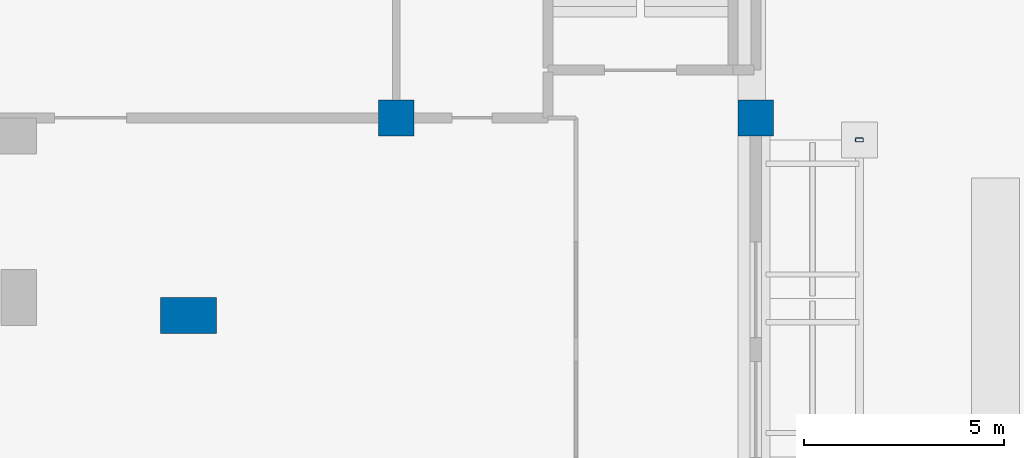
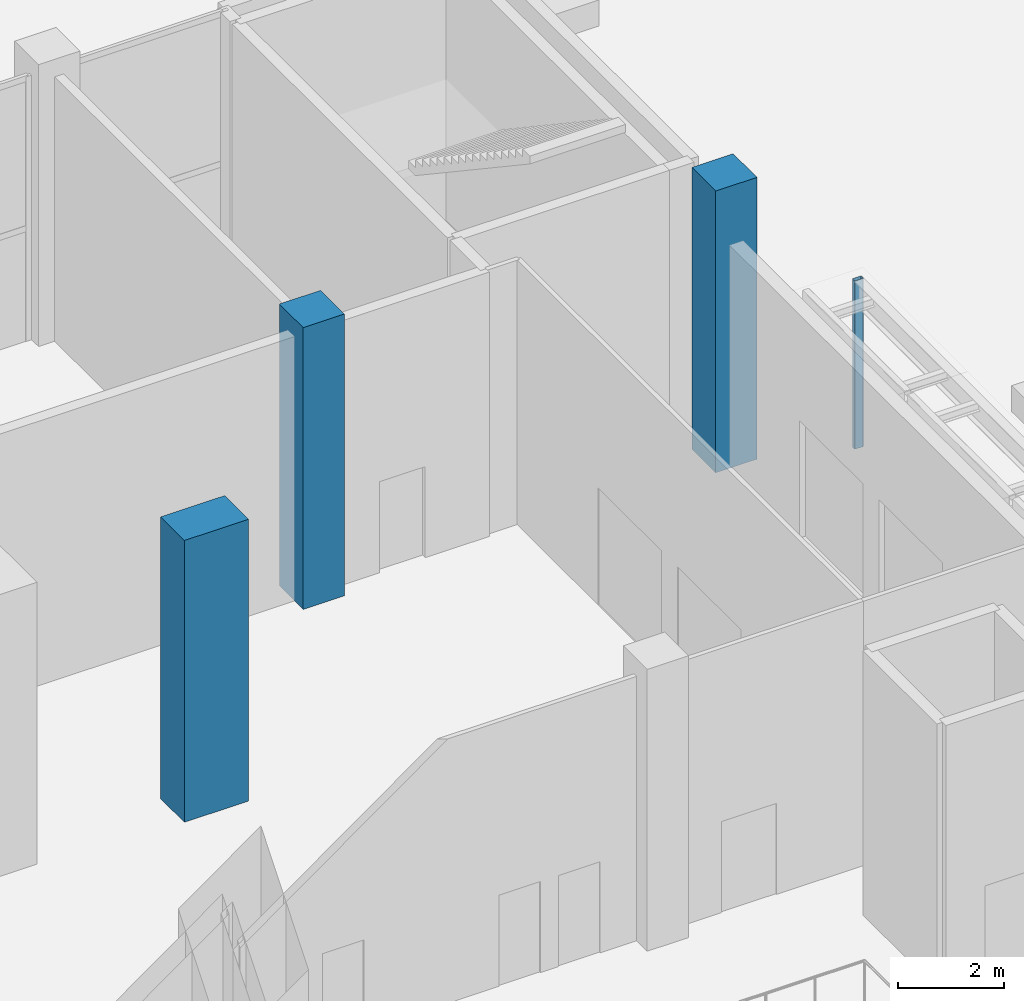
# One storey, part 15 of 39: 4 columns.
"""IFC4 building model written with IfcOpenShell, lengths in metres."""

import ifcopenshell
import ifcopenshell.guid

model = None  # the IFC model being written
_history = None  # IfcOwnerHistory: only IFC2X3 demands one
_inside = {}  # id of a spatial element -> (the spatial element, [elements in it])
_under = {}  # id of a project, library or spatial element -> (it, [spatial elements below it])
_declared = {}  # id of a project -> (the project, [libraries it declares])
_typed = {}  # id of a type object -> (the type object, [elements of that type])
_made_of = {}  # id of a material, layer set ... -> (it, [elements and type objects made of it])


def new_model(schema):
    """Start an empty IFC model of exactly this schema.

    Asked for "IFC4X3", IfcOpenShell would pick the latest addendum, in which some entities
    have other attributes; the version numbers below select the first issue.
    IFC2X3 requires an IfcOwnerHistory on every rooted entity: one is made here for all.
    """
    global model, _history
    if schema == "IFC4X3":
        model = ifcopenshell.file(schema_version=(4, 3, 0, 0))
    else:
        model = ifcopenshell.file(schema=schema)
    _inside.clear()
    _under.clear()
    _declared.clear()
    _typed.clear()
    _made_of.clear()
    _history = None
    if model.schema == "IFC2X3":
        org = make("IfcOrganization", Name="unknown")
        user = make(
            "IfcPersonAndOrganization",
            ThePerson=make("IfcPerson", FamilyName="unknown"),
            TheOrganization=org,
        )
        app = make(
            "IfcApplication",
            ApplicationDeveloper=org,
            Version="unknown",
            ApplicationFullName="unknown",
            ApplicationIdentifier="unknown",
        )
        _history = make(
            "IfcOwnerHistory",
            OwningUser=user,
            OwningApplication=app,
            ChangeAction="ADDED",
            CreationDate=0,
        )
    return model


def make(cls, **values):
    """One entity of the class cls with the attributes given. An attribute that is None is left unset."""
    return model.create_entity(
        cls, **{name: value for name, value in values.items() if value is not None}
    )


def rooted(cls, **values):
    """An entity with a GlobalId (a new one), such as an element, a storey or a relation."""
    return make(cls, GlobalId=ifcopenshell.guid.new(), OwnerHistory=_history, **values)


def si_unit(unit_type, name, prefix=None):
    """IfcSIUnit, for example si_unit("LENGTHUNIT", "METRE", prefix="MILLI")."""
    return make("IfcSIUnit", UnitType=unit_type, Prefix=prefix, Name=name)


def assignment(units):
    """IfcUnitAssignment: the units of a project."""
    return None if units is None else make("IfcUnitAssignment", Units=units)


def point(xyz):
    """IfcCartesianPoint."""
    return None if xyz is None else make("IfcCartesianPoint", Coordinates=xyz)


def direction(xyz):
    """IfcDirection."""
    return None if xyz is None else make("IfcDirection", DirectionRatios=xyz)


def frame(location, z_axis=None, x_axis=None):
    """IfcAxis2Placement3D, a coordinate frame: its origin and axes. An axis left out is left unset."""
    return make(
        "IfcAxis2Placement3D",
        Location=point(location),
        Axis=direction(z_axis),
        RefDirection=direction(x_axis),
    )


def frame_2d(location, x_axis=None):
    """IfcAxis2Placement2D, a coordinate frame in the plane: its origin and x axis."""
    return make(
        "IfcAxis2Placement2D", Location=point(location), RefDirection=direction(x_axis)
    )


def origin():
    """The frame at (0, 0, 0) with its axes left unset."""
    return frame((0.0, 0.0, 0.0))


def origin_2d():
    """The frame at (0, 0) in the plane with its x axis left unset."""
    return frame_2d((0.0, 0.0))


def place(relative_to, where):
    """IfcLocalPlacement: puts the frame where relative to a parent placement (None: the world)."""
    return make(
        "IfcLocalPlacement", PlacementRelTo=relative_to, RelativePlacement=where
    )


def context(
    kind, dimensions, precision=None, world=None, true_north=None, identifier=None
):
    """IfcGeometricRepresentationContext, for example the 3D "Model" context."""
    return make(
        "IfcGeometricRepresentationContext",
        ContextIdentifier=identifier,
        ContextType=kind,
        CoordinateSpaceDimension=dimensions,
        Precision=precision,
        WorldCoordinateSystem=world,
        TrueNorth=true_north,
    )


def subcontext(parent, identifier, kind, view, scale=None):
    """IfcGeometricRepresentationSubContext, for example "Body" below "Model"."""
    return make(
        "IfcGeometricRepresentationSubContext",
        ContextIdentifier=identifier,
        ContextType=kind,
        ParentContext=parent,
        TargetScale=scale,
        TargetView=view,
    )


def project(units=None, contexts=None):
    """IfcProject with its units and contexts."""
    return rooted(
        "IfcProject",
        Name="project",
        RepresentationContexts=contexts,
        UnitsInContext=assignment(units),
    )


def spatial(cls, under=None, at=None, **own):
    """A site, building, storey or space (cls), placed at a placement, below another one or the project."""
    s = rooted(cls, ObjectPlacement=at, **own)
    if under is not None:
        _under.setdefault(under.id(), (under, []))[1].append(s)
    return s


def profile(cls, at=None, kind="AREA", **sizes):
    """A parametric profile (cls). Its sizes go by their IFC names, for example OverallWidth=200.0."""
    return make(cls, ProfileType=kind, Position=at, **sizes)


def rectangle(**sizes):
    """IfcRectangleProfileDef."""
    return profile("IfcRectangleProfileDef", **sizes)


def hollow_rectangle(**sizes):
    """IfcRectangleHollowProfileDef."""
    return profile("IfcRectangleHollowProfileDef", **sizes)


def extrude(swept, where, along, depth):
    """IfcExtrudedAreaSolid: the profile swept, set in the frame where, extruded along a direction by depth."""
    return make(
        "IfcExtrudedAreaSolid",
        SweptArea=swept,
        Position=where,
        ExtrudedDirection=direction(along),
        Depth=depth,
    )


def shape(context_of_items, identifier, shape_type, items):
    """IfcShapeRepresentation: the items that make up one representation, for example the "Body"."""
    return make(
        "IfcShapeRepresentation",
        ContextOfItems=context_of_items,
        RepresentationIdentifier=identifier,
        RepresentationType=shape_type,
        Items=items,
    )


def material(Name=None, Category=None):
    """IfcMaterial."""
    return make("IfcMaterial", Name=Name, Category=Category)


def material_profile(
    of_material, cross_section, Name=None, Category=None, Priority=None
):
    """IfcMaterialProfile: a cross section and its material."""
    return make(
        "IfcMaterialProfile",
        Name=Name,
        Material=of_material,
        Profile=cross_section,
        Priority=Priority,
        Category=Category,
    )


def profile_set(profiles, Name=None, composite=None):
    """IfcMaterialProfileSet."""
    return make(
        "IfcMaterialProfileSet",
        Name=Name,
        MaterialProfiles=profiles,
        CompositeProfile=composite,
    )


def made_of(thing, what):
    """Note that an element or type object is made of a material, layer set ...; save() writes the relation."""
    if what is not None:
        _made_of.setdefault(what.id(), (what, []))[1].append(thing)
    return thing


def type_object(cls, material=None, **own):
    """A type object (cls), such as IfcWallType, which elements share."""
    return made_of(rooted(cls, **own), material)


def element(
    cls,
    number,
    at=None,
    inside=None,
    cuts=None,
    type_object=None,
    material=None,
    context=None,
    identifier="Body",
    shape_type=None,
    held_by="IfcProductDefinitionShape",
    body=None,
    shapes=None,
    **own,
):
    """One element of the class cls, such as IfcWall. Its Tag is "e" and its number.

    at: its placement. inside: the storey or other place that contains it. cuts: it is an
    opening in that element (IfcRelVoidsElement). A single representation is given by context,
    identifier, shape_type and body (its items); several are given by shapes. held_by: the class
    of the entity that holds the representations. save() writes the other relations.
    """
    e = rooted(cls, Tag="e%d" % number, ObjectPlacement=at, **own)
    if body is not None:
        shapes = [shape(context, identifier, shape_type, body)]
    if shapes is not None:
        e.Representation = make(held_by, Representations=shapes)
    if inside is not None:
        _inside.setdefault(inside.id(), (inside, []))[1].append(e)
    if cuts is not None:
        rooted(
            "IfcRelVoidsElement", RelatingBuildingElement=cuts, RelatedOpeningElement=e
        )
    if type_object is not None:
        _typed.setdefault(type_object.id(), (type_object, []))[1].append(e)
    return made_of(e, material)


def aggregate(whole, parts):
    """IfcRelAggregates: a whole, such as a stair, and the parts it consists of."""
    return rooted("IfcRelAggregates", RelatingObject=whole, RelatedObjects=parts)


def save(model, path):
    """Write the relations noted so far, then the file.

    IfcRelAggregates (storeys below a building ...), IfcRelContainedInSpatialStructure (elements
    in a storey), IfcRelDefinesByType, IfcRelAssociatesMaterial and IfcRelDeclares: one each for
    every whole, place, type object, material and project.
    """
    for whole, parts in _under.values():
        aggregate(whole, parts)
    for where, things in _inside.values():
        rooted(
            "IfcRelContainedInSpatialStructure",
            RelatedElements=things,
            RelatingStructure=where,
        )
    for kind, things in _typed.values():
        rooted("IfcRelDefinesByType", RelatedObjects=things, RelatingType=kind)
    for what, things in _made_of.values():
        rooted("IfcRelAssociatesMaterial", RelatedObjects=things, RelatingMaterial=what)
    for by, libraries in _declared.values():
        rooted("IfcRelDeclares", RelatingContext=by, RelatedDefinitions=libraries)
    model.write(path)


model = new_model("IFC4")

# Units and contexts
model_context = context("Model", 3, precision=1e-05, world=origin(), true_north=direction((0.0, 1.0)))
body_context = subcontext(model_context, "Body", "Model", "MODEL_VIEW")
ifc_project = project(units=[si_unit("LENGTHUNIT", "METRE"), si_unit("AREAUNIT", "SQUARE_METRE"), si_unit("VOLUMEUNIT", "CUBIC_METRE"), si_unit("PLANEANGLEUNIT", "RADIAN"), si_unit("MASSUNIT", "GRAM", prefix="KILO")], contexts=[model_context])

# Site, building, storey
site_placement = place(None, origin())
site = spatial("IfcSite", under=ifc_project, at=site_placement, CompositionType="ELEMENT")
building_placement = place(site_placement, origin())
building = spatial("IfcBuilding", under=site, at=building_placement, Name="Brigalow Station Residences", CompositionType="ELEMENT")
storey_placement = place(building_placement, origin())
storey = spatial("IfcBuildingStorey", under=building, at=storey_placement, Name="L00", CompositionType="ELEMENT", Elevation=0.0)

# Columns
ifc_material_1 = material(Name="Steel Grade C450L0 to AS/NZS 1163", Category="steel")
ifc_material_profile_1 = material_profile(ifc_material_1, hollow_rectangle(XDim=0.10009765625, YDim=0.199951171875, WallThickness=0.009033203125, InnerFilletRadius=0.013427734375, OuterFilletRadius=0.0224609375, at=origin_2d()), Name="200x100x9.0RHS")
ifc_profile_set_1 = profile_set([ifc_material_profile_1], Name="Steel Grade C450L0 to AS/NZS 1163")
column_type_1 = type_object("IfcColumnType", Name="CANOPY POST 200x100x9.0RHS", PredefinedType="COLUMN", material=ifc_profile_set_1)
column_1_placement = place(storey_placement, frame((92.595458984375, 47.949951171875, -0.39990234375), z_axis=(0.0, 0.0, 1.0), x_axis=(0.0, 1.0, 0.0)))
element("IfcColumn", 1, at=column_1_placement, inside=storey, type_object=column_type_1, Name="L00/canopy-post/E-entry-2", PredefinedType="COLUMN", context=body_context, shape_type="SweptSolid", body=[
    extrude(hollow_rectangle(XDim=0.10009765625, YDim=0.199951171875, WallThickness=0.009033203125, InnerFilletRadius=0.013427734375, OuterFilletRadius=0.0224609375, at=origin_2d()), origin(), (0.0, 0.0, 1.0), 3.8779296875),
])
ifc_material_2 = material(Name="Concrete C50", Category="concrete")
ifc_material_profile_2 = material_profile(ifc_material_2, rectangle(XDim=0.89990234375, YDim=0.89990234375, at=origin_2d()), Name="RC900x900")
ifc_profile_set_2 = profile_set([ifc_material_profile_2], Name="Concrete C50")
column_type_2 = type_object("IfcColumnType", Name="COLUMN 900x900 C50", PredefinedType="COLUMN", material=ifc_profile_set_2)
for number, where, z_axis, x_axis, name in (
    (2, (81.0, 48.5, 0.0), (0.0, 0.0, 1.0), (1.0, 0.0, 0.0), "COLUMN E9 L00"),
    (3, (90.0, 48.5, 0.0), (0.0, 0.0, 1.0), (1.0, 0.0, 0.0), "COLUMN E10 L00"),
):
    element("IfcColumn", number, at=place(storey_placement, frame(where, z_axis=z_axis, x_axis=x_axis)), inside=storey, type_object=column_type_2, Name=name, PredefinedType="COLUMN", context=body_context, shape_type="SweptSolid", body=[
        extrude(rectangle(XDim=0.89990234375, YDim=0.89990234375, at=origin_2d()), origin(), (0.0, 0.0, 1.0), 6.5),
    ])
ifc_material_3 = material(Name="Concrete C80", Category="concrete")
ifc_material_profile_3 = material_profile(ifc_material_3, rectangle(XDim=1.39990234375, YDim=0.89990234375, at=origin_2d()), Name="RC1400x900")
ifc_profile_set_3 = profile_set([ifc_material_profile_3], Name="Concrete C80")
column_type_3 = type_object("IfcColumnType", Name="PIER 1400x900 C80", PredefinedType="USERDEFINED", material=ifc_profile_set_3)
column_2_placement = place(storey_placement, frame((75.800048828125, 43.550048828125, 0.0), z_axis=(0.0, 0.0, 1.0), x_axis=(-1.0, 0.0, 0.0)))
element("IfcColumn", 4, at=column_2_placement, inside=storey, type_object=column_type_3, Name="PIER NE1-1 L00", ObjectType="PIER", PredefinedType="USERDEFINED", context=body_context, shape_type="SweptSolid", body=[
    extrude(rectangle(XDim=1.39990234375, YDim=0.89990234375, at=origin_2d()), origin(), (0.0, 0.0, 1.0), 6.5),
])

save(model, "model.ifc")
